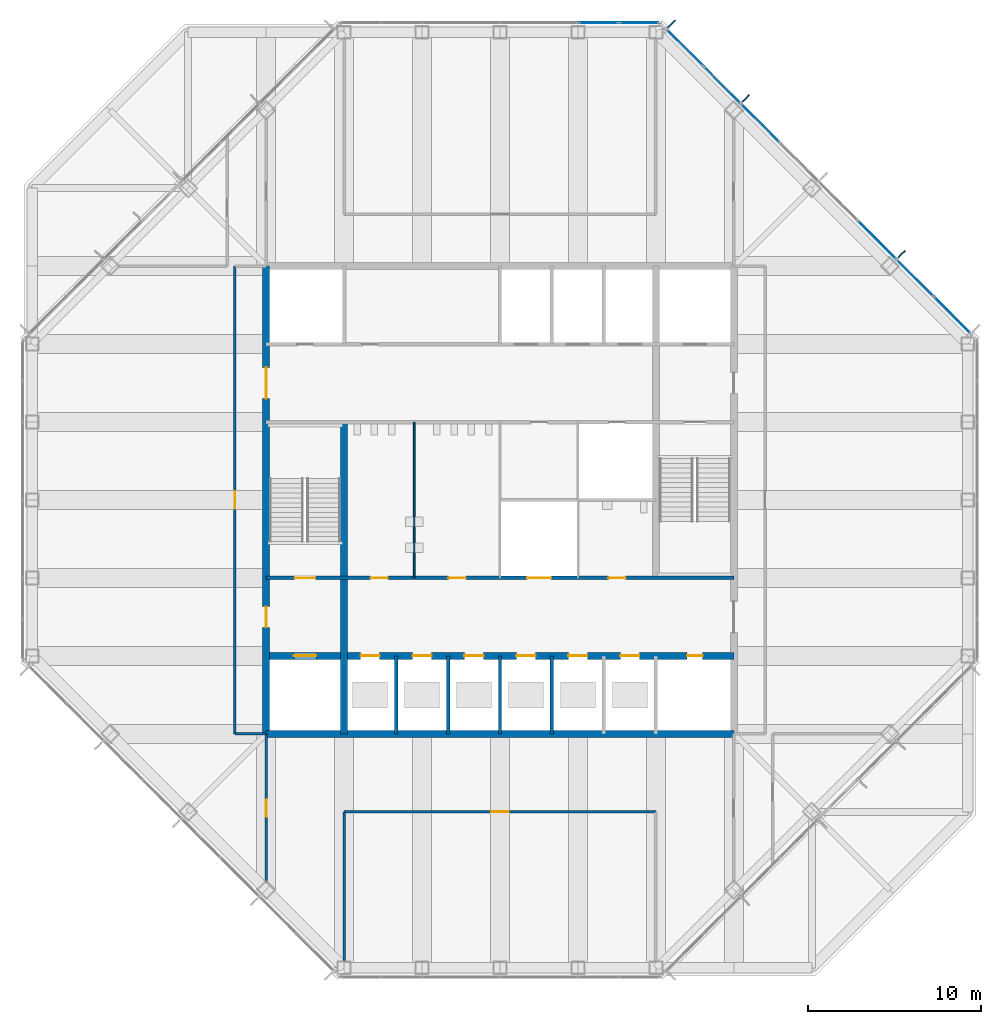
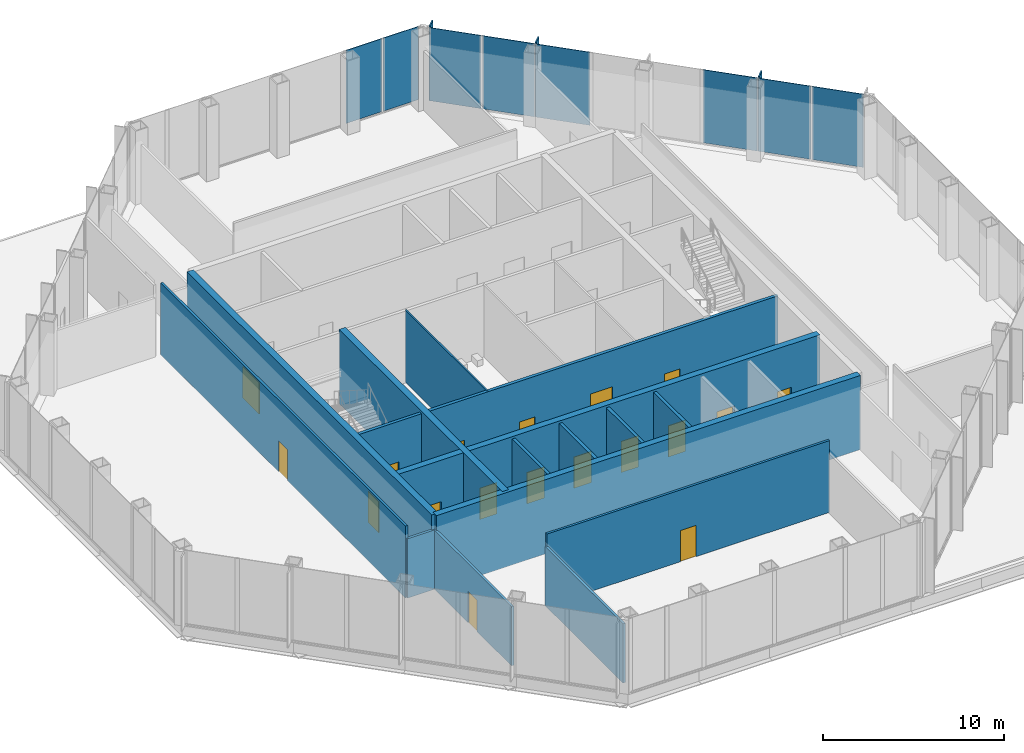
# One storey, part 7 of 12: 18 doors, 15 walls, 11 plates, 18 openings, 2 elements without a shape of their own.
"""IFC4 building model written with IfcOpenShell, lengths in metres."""

from ifc_helpers import new_model, si_unit, direction, frame, frame_2d, origin, origin_2d, place, context, subcontext, project, spatial, rectangle, extrude, material, layer, layer_set, type_object, element, fill, aggregate, save


model = new_model("IFC4")

# Units and contexts
model_context = context("Model", 3, precision=1e-05, world=origin(), true_north=direction((0.0, 1.0)))
body_context = subcontext(model_context, "Body", "Model", "MODEL_VIEW")
ifc_project = project(units=[si_unit("LENGTHUNIT", "METRE"), si_unit("AREAUNIT", "SQUARE_METRE"), si_unit("VOLUMEUNIT", "CUBIC_METRE"), si_unit("PLANEANGLEUNIT", "RADIAN"), si_unit("MASSUNIT", "GRAM", prefix="KILO")], contexts=[model_context])

# Site, building, storey
site_placement = place(None, origin())
site = spatial("IfcSite", under=ifc_project, at=site_placement, CompositionType="ELEMENT")
building_placement = place(site_placement, origin())
building = spatial("IfcBuilding", under=site, at=building_placement, Name="Corais Broadcast Tower", CompositionType="ELEMENT")
storey_placement = place(building_placement, frame((0.0, 0.0, 205.60009765625)))
storey = spatial("IfcBuildingStorey", under=building, at=storey_placement, Name="L47", CompositionType="ELEMENT", Elevation=205.60009765625)

# Curtain wall, plate
ifc_material_1 = material(Name="Aluminium and glass", Category="aluminium")
curtain_wall_type = type_object("IfcCurtainWallType", Name="Sky lobby curtain wall CW4", PredefinedType="NOTDEFINED", material=ifc_material_1)
curtain_wall_1_placement = place(storey_placement, origin())
curtain_wall_1 = element("IfcCurtainWall", 1, at=curtain_wall_1_placement, inside=storey, type_object=curtain_wall_type, Name="CW4 curtain wall L47 4", PredefinedType="NOTDEFINED")
ifc_material_2 = material(Name="Ceramic-fritted laminated glass", Category="glass")
ifc_layer_1 = layer(ifc_material_2, 0.035888671875)
ifc_layer_set_1 = layer_set([ifc_layer_1], Name="Ceramic-fritted laminated glass")
plate_type_1 = type_object("IfcPlateType", Name="Fritted glass panel CW4", PredefinedType="CURTAIN_PANEL", material=ifc_layer_set_1)
plate_1_placement = place(storey_placement, frame((32.681884765625, 54.550048828125, 0.079833984375), z_axis=(0.0, 0.0, 1.0), x_axis=(1.0, 0.0, 0.0)))
plate_1 = element("IfcPlate", 2, at=plate_1_placement, type_object=plate_type_1, Name="CW4 panel 5", PredefinedType="CURTAIN_PANEL", context=body_context, shape_type="SweptSolid", body=[
    extrude(rectangle(XDim=2.283935546875, YDim=0.035888671875, at=origin_2d()), origin(), (0.0, 0.0, 1.0), 4.919921875),
])

# Curtain wall, plates
curtain_wall_2_placement = place(storey_placement, origin())
curtain_wall_2 = element("IfcCurtainWall", 3, at=curtain_wall_2_placement, inside=storey, type_object=curtain_wall_type, Name="CW4 curtain wall L47 5", PredefinedType="NOTDEFINED")
plate_2_placement = place(storey_placement, frame((37.67236328125, 53.10546875, 0.079833984375), z_axis=(0.0, 0.0, 1.0), x_axis=(0.707106781187, -0.707106781187, 0.0)))
plate_2 = element("IfcPlate", 4, at=plate_2_placement, type_object=plate_type_1, Name="CW4 panel 1", PredefinedType="CURTAIN_PANEL", context=body_context, shape_type="SweptSolid", body=[
    extrude(rectangle(XDim=2.92578125, YDim=0.035888671875, at=origin_2d()), origin(), (0.0, 0.0, 1.0), 4.919921875),
])
plate_3_placement = place(storey_placement, frame((42.013916015625, 48.763916015625, 0.079833984375), z_axis=(0.0, 0.0, 1.0), x_axis=(0.707106781187, -0.707106781187, 0.0)))
plate_3 = element("IfcPlate", 5, at=plate_3_placement, type_object=plate_type_1, Name="CW4 panel 3", PredefinedType="CURTAIN_PANEL", context=body_context, shape_type="SweptSolid", body=[
    extrude(rectangle(XDim=3.10205078125, YDim=0.035888671875, at=origin_2d()), origin(), (0.0, 0.0, 1.0), 4.919921875),
])
plate_4_placement = place(storey_placement, frame((50.9658203125, 39.81201171875, 0.079833984375), z_axis=(0.0, 0.0, 1.0), x_axis=(0.707106781187, -0.707106781187, 0.0)))
plate_4 = element("IfcPlate", 6, at=plate_4_placement, type_object=plate_type_1, Name="CW4 panel 7", PredefinedType="CURTAIN_PANEL", context=body_context, shape_type="SweptSolid", body=[
    extrude(rectangle(XDim=2.9658203125, YDim=0.035888671875, at=origin_2d()), origin(), (0.0, 0.0, 1.0), 4.919921875),
])

# Plate
ifc_material_3 = material(Name="Clear laminated glass", Category="glass")
ifc_layer_2 = layer(ifc_material_3, 0.0400390625)
ifc_layer_set_2 = layer_set([ifc_layer_2], Name="Clear laminated glass")
plate_type_2 = type_object("IfcPlateType", Name="Operable glass panel CW4", PredefinedType="CURTAIN_PANEL", material=ifc_layer_set_2)
plate_5_placement = place(storey_placement, frame((35.02587890625, 54.550048828125, 0.079833984375), z_axis=(0.0, 0.0, 1.0), x_axis=(1.0, 0.0, 0.0)))
plate_5 = element("IfcPlate", 7, at=plate_5_placement, type_object=plate_type_2, Name="CW4 operable panel 6", PredefinedType="CURTAIN_PANEL", context=body_context, shape_type="SweptSolid", body=[
    extrude(rectangle(XDim=2.243896484375, YDim=0.0400390625, at=origin_2d()), origin(), (0.0, 0.0, 1.0), 4.919921875),
])

aggregate(curtain_wall_1, [plate_1, plate_5])

plate_6_placement = place(storey_placement, frame((39.81201171875, 50.9658203125, 0.079833984375), z_axis=(0.0, 0.0, 1.0), x_axis=(0.707106781187, -0.707106781187, 0.0)))
plate_6 = element("IfcPlate", 8, at=plate_6_placement, type_object=plate_type_2, Name="CW4 operable panel 2", PredefinedType="CURTAIN_PANEL", context=body_context, shape_type="SweptSolid", body=[
    extrude(rectangle(XDim=2.9658203125, YDim=0.0400390625, at=origin_2d()), origin(), (0.0, 0.0, 1.0), 4.919921875),
])

plate_7_placement = place(storey_placement, frame((48.763916015625, 42.013916015625, 0.079833984375), z_axis=(0.0, 0.0, 1.0), x_axis=(0.707106781187, -0.707106781187, 0.0)))
plate_7 = element("IfcPlate", 9, at=plate_7_placement, type_object=plate_type_2, Name="CW4 operable panel 6", PredefinedType="CURTAIN_PANEL", context=body_context, shape_type="SweptSolid", body=[
    extrude(rectangle(XDim=3.10205078125, YDim=0.0400390625, at=origin_2d()), origin(), (0.0, 0.0, 1.0), 4.919921875),
])

plate_8_placement = place(storey_placement, frame((53.10546875, 37.67236328125, 0.079833984375), z_axis=(0.0, 0.0, 1.0), x_axis=(0.707106781187, -0.707106781187, 0.0)))
plate_8 = element("IfcPlate", 10, at=plate_8_placement, type_object=plate_type_2, Name="CW4 operable panel 8", PredefinedType="CURTAIN_PANEL", context=body_context, shape_type="SweptSolid", body=[
    extrude(rectangle(XDim=2.92578125, YDim=0.0400390625, at=origin_2d()), origin(), (0.0, 0.0, 1.0), 4.919921875),
])

aggregate(curtain_wall_2, [plate_2, plate_6, plate_3, plate_7, plate_4, plate_8])

# Plates
ifc_material_4 = material(Name="Granite stone cladding", Category="masonry")
ifc_layer_3 = layer(ifc_material_4, 0.080078125)
ifc_layer_set_3 = layer_set([ifc_layer_3], Name="Granite stone cladding")
plate_type_3 = type_object("IfcPlateType", Name="Stone screen fin 80x600", PredefinedType="USERDEFINED", material=ifc_layer_set_3)
for number, where, z_axis, x_axis, name in (
    (11, (36.908203125, 54.466552734375, 0.0), (0.0, 0.0, 1.0), (0.707106781187, -0.707106781187, 0.0), "SF1 stone screen fin L47"),
    (12, (41.187255859375, 50.187255859375, 0.0), (0.0, 0.0, 1.0), (0.707106781187, -0.707106781187, 0.0), "SF1 stone screen fin L47"),
    (13, (50.187255859375, 41.187255859375, 0.0), (0.0, 0.0, 1.0), (0.707106781187, -0.707106781187, 0.0), "SF1 stone screen fin L47"),
):
    element("IfcPlate", number, at=place(storey_placement, frame(where, z_axis=z_axis, x_axis=x_axis)), inside=storey, type_object=plate_type_3, Name=name, ObjectType="STONE SCREEN FIN", PredefinedType="USERDEFINED", context=body_context, shape_type="SweptSolid", body=[
        extrude(rectangle(XDim=0.080078125, YDim=0.60009765625, at=origin_2d()), origin(), (0.0, 0.0, 1.0), 5.0),
    ])

# Wall, openings, doors
ifc_material_5 = material(Name="Concrete blockwork class A, grouted, two-hour", Category="masonry")
ifc_layer_4 = layer(ifc_material_5, 0.199951171875)
ifc_layer_set_4 = layer_set([ifc_layer_4], Name="Concrete blockwork class A, grouted, two-hour")
wall_type_1 = type_object("IfcWallType", Name="Core lobby wall 200", PredefinedType="SOLIDWALL", material=ifc_layer_set_4)
wall_1_placement = place(storey_placement, frame((13.5, 22.5, 0.0), z_axis=(0.0, 0.0, 1.0), x_axis=(1.0, 0.0, 0.0)))
wall_1 = element("IfcWall", 14, at=wall_1_placement, inside=storey, type_object=wall_type_1, Name="CL3 core lobby wall Y225 L47", PredefinedType="SOLIDWALL", context=body_context, shape_type="SweptSolid", body=[
    extrude(rectangle(XDim=27.0, YDim=0.199951171875, at=frame_2d((13.5, 0.0))), origin(), (0.0, 0.0, 1.0), 4.83984375),
])
opening_1_placement = place(wall_1_placement, frame((1.64990234375, 0.0, 0.0)))
opening_1 = element("IfcOpeningElement", 15, at=opening_1_placement, cuts=wall_1, Name="Opening FD1", PredefinedType="OPENING", context=body_context, shape_type="SweptSolid", body=[
    extrude(rectangle(XDim=1.199951171875, YDim=2.10009765625, at=frame_2d((0.60009765625, 1.050048828125))), frame((0.0, 0.10986328125, 0.0), z_axis=(0.0, -1.0, 0.0), x_axis=(1.0, 0.0, 0.0)), (0.0, 0.0, 1.0), 0.219970703125),
])
opening_2_placement = place(wall_1_placement, frame((6.02490234375, 0.0, 0.0)))
opening_2 = element("IfcOpeningElement", 16, at=opening_2_placement, cuts=wall_1, Name="Opening WD1", PredefinedType="OPENING", context=body_context, shape_type="SweptSolid", body=[
    extrude(rectangle(XDim=1.0, YDim=2.10009765625, at=frame_2d((0.5, 1.050048828125))), frame((0.0, 0.10986328125, 0.0), z_axis=(0.0, -1.0, 0.0), x_axis=(1.0, 0.0, 0.0)), (0.0, 0.0, 1.0), 0.219970703125),
])
opening_3_placement = place(wall_1_placement, frame((10.52490234375, 0.0, 0.0)))
opening_3 = element("IfcOpeningElement", 17, at=opening_3_placement, cuts=wall_1, Name="Opening WD1", PredefinedType="OPENING", context=body_context, shape_type="SweptSolid", body=[
    extrude(rectangle(XDim=1.0, YDim=2.10009765625, at=frame_2d((0.5, 1.050048828125))), frame((0.0, 0.10986328125, 0.0), z_axis=(0.0, -1.0, 0.0), x_axis=(1.0, 0.0, 0.0)), (0.0, 0.0, 1.0), 0.219970703125),
])
opening_4_placement = place(wall_1_placement, frame((19.75, 0.0, 0.0)))
opening_4 = element("IfcOpeningElement", 18, at=opening_4_placement, cuts=wall_1, Name="Opening WD1", PredefinedType="OPENING", context=body_context, shape_type="SweptSolid", body=[
    extrude(rectangle(XDim=1.0, YDim=2.10009765625, at=frame_2d((0.5, 1.050048828125))), frame((0.0, 0.10986328125, 0.0), z_axis=(0.0, -1.0, 0.0), x_axis=(1.0, 0.0, 0.0)), (0.0, 0.0, 1.0), 0.219970703125),
])
opening_5_placement = place(wall_1_placement, frame((15.050048828125, 0.0, 0.0)))
opening_5 = element("IfcOpeningElement", 19, at=opening_5_placement, cuts=wall_1, Name="Opening LD3", PredefinedType="OPENING", context=body_context, shape_type="SweptSolid", body=[
    extrude(rectangle(XDim=1.39990234375, YDim=2.39990234375, at=frame_2d((0.699951171875, 1.199951171875))), frame((0.0, 0.10986328125, 0.0), z_axis=(0.0, -1.0, 0.0), x_axis=(1.0, 0.0, 0.0)), (0.0, 0.0, 1.0), 0.219970703125),
])
ifc_material_6 = material(Name="Steel fire door", Category="steel")
door_type_1 = type_object("IfcDoorType", Name="Fire door 1200x2100", OperationType="SINGLE_SWING_LEFT", PredefinedType="DOOR", material=ifc_material_6)
door_1_placement = place(opening_1_placement, origin())
door_1 = element("IfcDoor", 20, at=door_1_placement, inside=storey, type_object=door_type_1, Name="FD1 stair A door L47", OperationType="SINGLE_SWING_LEFT", OverallHeight=2.10009765625, OverallWidth=1.199951171875, PredefinedType="DOOR", context=body_context, shape_type="SweptSolid", body=[
    extrude(rectangle(XDim=1.199951171875, YDim=2.10009765625, at=frame_2d((0.60009765625, 1.050048828125))), frame((0.0, 0.02490234375, 0.0), z_axis=(0.0, -1.0, 0.0), x_axis=(1.0, 0.0, 0.0)), (0.0, 0.0, 1.0), 0.050048828125),
])
fill(opening_1, door_1)
ifc_material_7 = material(Name="Stainless steel lift door", Category="steel")
door_type_2 = type_object("IfcDoorType", Name="Service lift landing door 1400x2400", OperationType="SLIDING_TO_LEFT", PredefinedType="DOOR", material=ifc_material_7)
door_2_placement = place(opening_5_placement, origin())
door_2 = element("IfcDoor", 21, at=door_2_placement, inside=storey, type_object=door_type_2, Name="LD3 SL1 landing door L47", OperationType="SLIDING_TO_LEFT", OverallHeight=2.39990234375, OverallWidth=1.39990234375, PredefinedType="DOOR", context=body_context, shape_type="SweptSolid", body=[
    extrude(rectangle(XDim=1.39990234375, YDim=2.39990234375, at=frame_2d((0.699951171875, 1.199951171875))), frame((0.0, 0.02490234375, 0.0), z_axis=(0.0, -1.0, 0.0), x_axis=(1.0, 0.0, 0.0)), (0.0, 0.0, 1.0), 0.050048828125),
])
fill(opening_5, door_2)
ifc_material_8 = material(Name="Timber door", Category="wood")
door_type_3 = type_object("IfcDoorType", Name="Toilet door 1000x2100", OperationType="SINGLE_SWING_LEFT", PredefinedType="DOOR", material=ifc_material_8)
door_3_placement = place(opening_2_placement, origin())
door_3 = element("IfcDoor", 22, at=door_3_placement, inside=storey, type_object=door_type_3, Name="WD1 WC male door L47", OperationType="SINGLE_SWING_LEFT", OverallHeight=2.10009765625, OverallWidth=1.0, PredefinedType="DOOR", context=body_context, shape_type="SweptSolid", body=[
    extrude(rectangle(XDim=1.0, YDim=2.10009765625, at=frame_2d((0.5, 1.050048828125))), frame((0.0, 0.02490234375, 0.0), z_axis=(0.0, -1.0, 0.0), x_axis=(1.0, 0.0, 0.0)), (0.0, 0.0, 1.0), 0.050048828125),
])
fill(opening_2, door_3)
door_4_placement = place(opening_3_placement, origin())
door_4 = element("IfcDoor", 23, at=door_4_placement, inside=storey, type_object=door_type_3, Name="WD1 WC female door L47", OperationType="SINGLE_SWING_LEFT", OverallHeight=2.10009765625, OverallWidth=1.0, PredefinedType="DOOR", context=body_context, shape_type="SweptSolid", body=[
    extrude(rectangle(XDim=1.0, YDim=2.10009765625, at=frame_2d((0.5, 1.050048828125))), frame((0.0, 0.02490234375, 0.0), z_axis=(0.0, -1.0, 0.0), x_axis=(1.0, 0.0, 0.0)), (0.0, 0.0, 1.0), 0.050048828125),
])
fill(opening_3, door_4)
door_5_placement = place(opening_4_placement, origin())
door_5 = element("IfcDoor", 24, at=door_5_placement, inside=storey, type_object=door_type_3, Name="WD1 accessible WC door L47", OperationType="SINGLE_SWING_RIGHT", OverallHeight=2.10009765625, OverallWidth=1.0, PredefinedType="DOOR", context=body_context, shape_type="SweptSolid", body=[
    extrude(rectangle(XDim=1.0, YDim=2.10009765625, at=frame_2d((0.5, 1.050048828125))), frame((0.0, 0.02490234375, 0.0), z_axis=(0.0, -1.0, 0.0), x_axis=(1.0, 0.0, 0.0)), (0.0, 0.0, 1.0), 0.050048828125),
])
fill(opening_4, door_5)

# Wall
ifc_material_9 = material(Name="Concrete C50/60", Category="concrete")
ifc_layer_5 = layer(ifc_material_9, 0.39990234375)
ifc_layer_set_5 = layer_set([ifc_layer_5], Name="Concrete C50/60")
wall_type_2 = type_object("IfcWallType", Name="Core wall 400", PredefinedType="SHEAR", material=ifc_layer_set_5)
wall_2_placement = place(storey_placement, frame((13.5, 13.5, 0.0), z_axis=(0.0, 0.0, 1.0), x_axis=(1.0, 0.0, 0.0)))
element("IfcWall", 25, at=wall_2_placement, inside=storey, type_object=wall_type_2, Name="CR400 core wall S L47", PredefinedType="SHEAR", context=body_context, shape_type="SweptSolid", body=[
    extrude(rectangle(XDim=27.0, YDim=0.39990234375, at=frame_2d((13.5, 0.0))), origin(), (0.0, 0.0, 1.0), 5.0),
])

# Wall, openings, doors
wall_3_placement = place(storey_placement, frame((13.5, 40.5, 0.0), z_axis=(0.0, 0.0, 1.0), x_axis=(0.0, -1.0, 0.0)))
wall_3 = element("IfcWall", 26, at=wall_3_placement, inside=storey, type_object=wall_type_2, Name="CR400 core wall W L47", PredefinedType="SHEAR", context=body_context, shape_type="SweptSolid", body=[
    extrude(rectangle(XDim=27.0, YDim=0.39990234375, at=frame_2d((13.5, 0.0))), origin(), (0.0, 0.0, 1.0), 5.0),
])
opening_6_placement = place(wall_3_placement, frame((19.64990234375, 0.0, 0.0)))
opening_6 = element("IfcOpeningElement", 27, at=opening_6_placement, cuts=wall_3, Name="Opening FD1", PredefinedType="OPENING", context=body_context, shape_type="SweptSolid", body=[
    extrude(rectangle(XDim=1.199951171875, YDim=2.10009765625, at=frame_2d((0.60009765625, 1.050048828125))), frame((0.0, 0.2099609375, 0.0), z_axis=(0.0, -1.0, 0.0), x_axis=(1.0, 0.0, 0.0)), (0.0, 0.0, 1.0), 0.419921875),
])
opening_7_placement = place(wall_3_placement, frame((5.85009765625, 0.0, 0.0)))
opening_7 = element("IfcOpeningElement", 28, at=opening_7_placement, cuts=wall_3, Name="Opening FD2", PredefinedType="OPENING", context=body_context, shape_type="SweptSolid", body=[
    extrude(rectangle(XDim=1.800048828125, YDim=2.10009765625, at=frame_2d((0.89990234375, 1.050048828125))), frame((0.0, 0.2099609375, 0.0), z_axis=(0.0, -1.0, 0.0), x_axis=(1.0, 0.0, 0.0)), (0.0, 0.0, 1.0), 0.419921875),
])
door_6_placement = place(opening_6_placement, origin())
door_6 = element("IfcDoor", 29, at=door_6_placement, inside=storey, type_object=door_type_1, Name="FD1 fire lobby A door L47", OperationType="SINGLE_SWING_RIGHT", OverallHeight=2.10009765625, OverallWidth=1.199951171875, PredefinedType="DOOR", context=body_context, shape_type="SweptSolid", body=[
    extrude(rectangle(XDim=1.199951171875, YDim=2.10009765625, at=frame_2d((0.60009765625, 1.050048828125))), frame((0.0, 0.02490234375, 0.0), z_axis=(0.0, -1.0, 0.0), x_axis=(1.0, 0.0, 0.0)), (0.0, 0.0, 1.0), 0.050048828125),
])
fill(opening_6, door_6)
ifc_material_10 = material(Name="Steel fire door", Category="steel")
door_type_4 = type_object("IfcDoorType", Name="Fire door pair 1800x2100", OperationType="DOUBLE_DOOR_SINGLE_SWING", PredefinedType="DOOR", material=ifc_material_10)
door_7_placement = place(opening_7_placement, origin())
door_7 = element("IfcDoor", 30, at=door_7_placement, inside=storey, type_object=door_type_4, Name="FD2 lift lobby door L47", OperationType="SINGLE_SWING_LEFT", OverallHeight=2.10009765625, OverallWidth=1.800048828125, PredefinedType="DOOR", context=body_context, shape_type="SweptSolid", body=[
    extrude(rectangle(XDim=1.800048828125, YDim=2.10009765625, at=frame_2d((0.89990234375, 1.050048828125))), frame((0.0, 0.02490234375, 0.0), z_axis=(0.0, -1.0, 0.0), x_axis=(1.0, 0.0, 0.0)), (0.0, 0.0, 1.0), 0.050048828125),
])
fill(opening_7, door_7)

# Wall
wall_4_placement = place(storey_placement, frame((18.0, 13.5, 0.0), z_axis=(0.0, 0.0, 1.0), x_axis=(0.0, 1.0, 0.0)))
element("IfcWall", 31, at=wall_4_placement, inside=storey, type_object=wall_type_2, Name="CR400 core wall X18A L47", PredefinedType="SHEAR", context=body_context, shape_type="SweptSolid", body=[
    extrude(rectangle(XDim=18.0, YDim=0.39990234375, at=frame_2d((9.0, 0.0))), origin(), (0.0, 0.0, 1.0), 5.0),
])

# Wall, openings, doors
wall_5_placement = place(storey_placement, frame((13.5, 18.0, 0.0), z_axis=(0.0, 0.0, 1.0), x_axis=(1.0, 0.0, 0.0)))
wall_5 = element("IfcWall", 32, at=wall_5_placement, inside=storey, type_object=wall_type_2, Name="CR400 core wall Y18 L47", PredefinedType="SHEAR", context=body_context, shape_type="SweptSolid", body=[
    extrude(rectangle(XDim=27.0, YDim=0.39990234375, at=frame_2d((13.5, 0.0))), origin(), (0.0, 0.0, 1.0), 5.0),
])
opening_8_placement = place(wall_5_placement, frame((24.300048828125, 0.0, 0.0)))
opening_8 = element("IfcOpeningElement", 33, at=opening_8_placement, cuts=wall_5, Name="Opening RD1", PredefinedType="OPENING", context=body_context, shape_type="SweptSolid", body=[
    extrude(rectangle(XDim=0.89990234375, YDim=2.10009765625, at=frame_2d((0.449951171875, 1.050048828125))), frame((0.0, 0.2099609375, 0.0), z_axis=(0.0, -1.0, 0.0), x_axis=(1.0, 0.0, 0.0)), (0.0, 0.0, 1.0), 0.419921875),
])
opening_9_placement = place(wall_5_placement, frame((5.449951171875, 0.0, 0.0)))
opening_9 = element("IfcOpeningElement", 34, at=opening_9_placement, cuts=wall_5, Name="Opening LD1", PredefinedType="OPENING", context=body_context, shape_type="SweptSolid", body=[
    extrude(rectangle(XDim=1.10009765625, YDim=2.10009765625, at=frame_2d((0.550048828125, 1.050048828125))), frame((0.0, 0.2099609375, 0.0), z_axis=(0.0, -1.0, 0.0), x_axis=(1.0, 0.0, 0.0)), (0.0, 0.0, 1.0), 0.419921875),
])
opening_10_placement = place(wall_5_placement, frame((8.449951171875, 0.0, 0.0)))
opening_10 = element("IfcOpeningElement", 35, at=opening_10_placement, cuts=wall_5, Name="Opening LD1", PredefinedType="OPENING", context=body_context, shape_type="SweptSolid", body=[
    extrude(rectangle(XDim=1.10009765625, YDim=2.10009765625, at=frame_2d((0.550048828125, 1.050048828125))), frame((0.0, 0.2099609375, 0.0), z_axis=(0.0, -1.0, 0.0), x_axis=(1.0, 0.0, 0.0)), (0.0, 0.0, 1.0), 0.419921875),
])
opening_11_placement = place(wall_5_placement, frame((11.449951171875, 0.0, 0.0)))
opening_11 = element("IfcOpeningElement", 36, at=opening_11_placement, cuts=wall_5, Name="Opening LD1", PredefinedType="OPENING", context=body_context, shape_type="SweptSolid", body=[
    extrude(rectangle(XDim=1.10009765625, YDim=2.10009765625, at=frame_2d((0.550048828125, 1.050048828125))), frame((0.0, 0.2099609375, 0.0), z_axis=(0.0, -1.0, 0.0), x_axis=(1.0, 0.0, 0.0)), (0.0, 0.0, 1.0), 0.419921875),
])
opening_12_placement = place(wall_5_placement, frame((14.449951171875, 0.0, 0.0)))
opening_12 = element("IfcOpeningElement", 37, at=opening_12_placement, cuts=wall_5, Name="Opening LD1", PredefinedType="OPENING", context=body_context, shape_type="SweptSolid", body=[
    extrude(rectangle(XDim=1.10009765625, YDim=2.10009765625, at=frame_2d((0.550048828125, 1.050048828125))), frame((0.0, 0.2099609375, 0.0), z_axis=(0.0, -1.0, 0.0), x_axis=(1.0, 0.0, 0.0)), (0.0, 0.0, 1.0), 0.419921875),
])
opening_13_placement = place(wall_5_placement, frame((17.449951171875, 0.0, 0.0)))
opening_13 = element("IfcOpeningElement", 38, at=opening_13_placement, cuts=wall_5, Name="Opening LD1", PredefinedType="OPENING", context=body_context, shape_type="SweptSolid", body=[
    extrude(rectangle(XDim=1.10009765625, YDim=2.10009765625, at=frame_2d((0.550048828125, 1.050048828125))), frame((0.0, 0.2099609375, 0.0), z_axis=(0.0, -1.0, 0.0), x_axis=(1.0, 0.0, 0.0)), (0.0, 0.0, 1.0), 0.419921875),
])
opening_14_placement = place(wall_5_placement, frame((20.449951171875, 0.0, 0.0)))
opening_14 = element("IfcOpeningElement", 39, at=opening_14_placement, cuts=wall_5, Name="Opening LD1", PredefinedType="OPENING", context=body_context, shape_type="SweptSolid", body=[
    extrude(rectangle(XDim=1.10009765625, YDim=2.10009765625, at=frame_2d((0.550048828125, 1.050048828125))), frame((0.0, 0.2099609375, 0.0), z_axis=(0.0, -1.0, 0.0), x_axis=(1.0, 0.0, 0.0)), (0.0, 0.0, 1.0), 0.419921875),
])
opening_15_placement = place(wall_5_placement, frame((1.60009765625, 0.0, 0.0)))
opening_15 = element("IfcOpeningElement", 40, at=opening_15_placement, cuts=wall_5, Name="Opening LD2", PredefinedType="OPENING", context=body_context, shape_type="SweptSolid", body=[
    extrude(rectangle(XDim=1.300048828125, YDim=2.199951171875, at=frame_2d((0.64990234375, 1.10009765625))), frame((0.0, 0.2099609375, 0.0), z_axis=(0.0, -1.0, 0.0), x_axis=(1.0, 0.0, 0.0)), (0.0, 0.0, 1.0), 0.419921875),
])
ifc_material_11 = material(Name="Stainless steel lift door", Category="steel")
door_type_5 = type_object("IfcDoorType", Name="Lift landing door 1100x2100", OperationType="SLIDING_TO_LEFT", PredefinedType="DOOR", material=ifc_material_11)
door_8_placement = place(opening_9_placement, origin())
door_8 = element("IfcDoor", 41, at=door_8_placement, inside=storey, type_object=door_type_5, Name="LD1 PH1 landing door L47", OperationType="SLIDING_TO_LEFT", OverallHeight=2.10009765625, OverallWidth=1.10009765625, PredefinedType="DOOR", context=body_context, shape_type="SweptSolid", body=[
    extrude(rectangle(XDim=1.10009765625, YDim=2.10009765625, at=frame_2d((0.550048828125, 1.050048828125))), frame((0.0, 0.02490234375, 0.0), z_axis=(0.0, -1.0, 0.0), x_axis=(1.0, 0.0, 0.0)), (0.0, 0.0, 1.0), 0.050048828125),
])
fill(opening_9, door_8)
door_9_placement = place(opening_10_placement, origin())
door_9 = element("IfcDoor", 42, at=door_9_placement, inside=storey, type_object=door_type_5, Name="LD1 PH2 landing door L47", OperationType="SLIDING_TO_LEFT", OverallHeight=2.10009765625, OverallWidth=1.10009765625, PredefinedType="DOOR", context=body_context, shape_type="SweptSolid", body=[
    extrude(rectangle(XDim=1.10009765625, YDim=2.10009765625, at=frame_2d((0.550048828125, 1.050048828125))), frame((0.0, 0.02490234375, 0.0), z_axis=(0.0, -1.0, 0.0), x_axis=(1.0, 0.0, 0.0)), (0.0, 0.0, 1.0), 0.050048828125),
])
fill(opening_10, door_9)
door_10_placement = place(opening_11_placement, origin())
door_10 = element("IfcDoor", 43, at=door_10_placement, inside=storey, type_object=door_type_5, Name="LD1 PH3 landing door L47", OperationType="SLIDING_TO_LEFT", OverallHeight=2.10009765625, OverallWidth=1.10009765625, PredefinedType="DOOR", context=body_context, shape_type="SweptSolid", body=[
    extrude(rectangle(XDim=1.10009765625, YDim=2.10009765625, at=frame_2d((0.550048828125, 1.050048828125))), frame((0.0, 0.02490234375, 0.0), z_axis=(0.0, -1.0, 0.0), x_axis=(1.0, 0.0, 0.0)), (0.0, 0.0, 1.0), 0.050048828125),
])
fill(opening_11, door_10)
door_11_placement = place(opening_12_placement, origin())
door_11 = element("IfcDoor", 44, at=door_11_placement, inside=storey, type_object=door_type_5, Name="LD1 PH4 landing door L47", OperationType="SLIDING_TO_LEFT", OverallHeight=2.10009765625, OverallWidth=1.10009765625, PredefinedType="DOOR", context=body_context, shape_type="SweptSolid", body=[
    extrude(rectangle(XDim=1.10009765625, YDim=2.10009765625, at=frame_2d((0.550048828125, 1.050048828125))), frame((0.0, 0.02490234375, 0.0), z_axis=(0.0, -1.0, 0.0), x_axis=(1.0, 0.0, 0.0)), (0.0, 0.0, 1.0), 0.050048828125),
])
fill(opening_12, door_11)
door_12_placement = place(opening_13_placement, origin())
door_12 = element("IfcDoor", 45, at=door_12_placement, inside=storey, type_object=door_type_5, Name="LD1 PH5 landing door L47", OperationType="SLIDING_TO_LEFT", OverallHeight=2.10009765625, OverallWidth=1.10009765625, PredefinedType="DOOR", context=body_context, shape_type="SweptSolid", body=[
    extrude(rectangle(XDim=1.10009765625, YDim=2.10009765625, at=frame_2d((0.550048828125, 1.050048828125))), frame((0.0, 0.02490234375, 0.0), z_axis=(0.0, -1.0, 0.0), x_axis=(1.0, 0.0, 0.0)), (0.0, 0.0, 1.0), 0.050048828125),
])
fill(opening_13, door_12)
door_13_placement = place(opening_14_placement, origin())
door_13 = element("IfcDoor", 46, at=door_13_placement, inside=storey, type_object=door_type_5, Name="LD1 PH6 landing door L47", OperationType="SLIDING_TO_LEFT", OverallHeight=2.10009765625, OverallWidth=1.10009765625, PredefinedType="DOOR", context=body_context, shape_type="SweptSolid", body=[
    extrude(rectangle(XDim=1.10009765625, YDim=2.10009765625, at=frame_2d((0.550048828125, 1.050048828125))), frame((0.0, 0.02490234375, 0.0), z_axis=(0.0, -1.0, 0.0), x_axis=(1.0, 0.0, 0.0)), (0.0, 0.0, 1.0), 0.050048828125),
])
fill(opening_14, door_13)
ifc_material_12 = material(Name="Stainless steel lift door", Category="steel")
door_type_6 = type_object("IfcDoorType", Name="Lift landing door 1300x2200", OperationType="SLIDING_TO_LEFT", PredefinedType="DOOR", material=ifc_material_12)
door_14_placement = place(opening_15_placement, origin())
door_14 = element("IfcDoor", 47, at=door_14_placement, inside=storey, type_object=door_type_6, Name="LD2 FL1 landing door L47", OperationType="SLIDING_TO_LEFT", OverallHeight=2.199951171875, OverallWidth=1.300048828125, PredefinedType="DOOR", context=body_context, shape_type="SweptSolid", body=[
    extrude(rectangle(XDim=1.300048828125, YDim=2.199951171875, at=frame_2d((0.64990234375, 1.10009765625))), frame((0.0, 0.02490234375, 0.0), z_axis=(0.0, -1.0, 0.0), x_axis=(1.0, 0.0, 0.0)), (0.0, 0.0, 1.0), 0.050048828125),
])
fill(opening_15, door_14)
ifc_material_13 = material(Name="Steel fire door", Category="steel")
door_type_7 = type_object("IfcDoorType", Name="Riser door 900x2100", OperationType="SINGLE_SWING_LEFT", PredefinedType="DOOR", material=ifc_material_13)
door_15_placement = place(opening_8_placement, origin())
door_15 = element("IfcDoor", 48, at=door_15_placement, inside=storey, type_object=door_type_7, Name="RD1 riser door L47", OperationType="SINGLE_SWING_RIGHT", OverallHeight=2.10009765625, OverallWidth=0.89990234375, PredefinedType="DOOR", context=body_context, shape_type="SweptSolid", body=[
    extrude(rectangle(XDim=0.89990234375, YDim=2.10009765625, at=frame_2d((0.449951171875, 1.050048828125))), frame((0.0, 0.02490234375, 0.0), z_axis=(0.0, -1.0, 0.0), x_axis=(1.0, 0.0, 0.0)), (0.0, 0.0, 1.0), 0.050048828125),
])
fill(opening_8, door_15)

# Wall, opening, door
ifc_material_14 = material(Name="Gypsum board on steel studs", Category="steel")
ifc_layer_6 = layer(ifc_material_14, 0.14990234375)
ifc_layer_set_6 = layer_set([ifc_layer_6], Name="Gypsum board on steel studs")
wall_type_3 = type_object("IfcWallType", Name="Partition 150", PredefinedType="PARTITIONING", material=ifc_layer_set_6)
wall_6_placement = place(storey_placement, frame((11.699951171875, 40.5, 0.0), z_axis=(0.0, 0.0, 1.0), x_axis=(0.0, -1.0, 0.0)))
wall_6 = element("IfcWall", 49, at=wall_6_placement, inside=storey, type_object=wall_type_3, Name="IW3 corridor wall L47", PredefinedType="PARTITIONING", context=body_context, shape_type="SweptSolid", body=[
    extrude(rectangle(XDim=27.0, YDim=0.14990234375, at=frame_2d((13.5, 0.0))), origin(), (0.0, 0.0, 1.0), 4.83984375),
])
opening_16_placement = place(wall_6_placement, frame((13.0, 0.0, 0.0)))
opening_16 = element("IfcOpeningElement", 50, at=opening_16_placement, cuts=wall_6, Name="Opening D1", PredefinedType="OPENING", context=body_context, shape_type="SweptSolid", body=[
    extrude(rectangle(XDim=1.0, YDim=2.10009765625, at=frame_2d((0.5, 1.050048828125))), frame((0.0, 0.0849609375, 0.0), z_axis=(0.0, -1.0, 0.0), x_axis=(1.0, 0.0, 0.0)), (0.0, 0.0, 1.0), 0.169921875),
])
ifc_material_15 = material(Name="Timber door", Category="wood")
door_type_8 = type_object("IfcDoorType", Name="Single door 1000x2100", OperationType="SINGLE_SWING_LEFT", PredefinedType="DOOR", material=ifc_material_15)
door_16_placement = place(opening_16_placement, origin())
door_16 = element("IfcDoor", 51, at=door_16_placement, inside=storey, type_object=door_type_8, Name="D1 workplace door L47", OperationType="SINGLE_SWING_LEFT", OverallHeight=2.10009765625, OverallWidth=1.0, PredefinedType="DOOR", context=body_context, shape_type="SweptSolid", body=[
    extrude(rectangle(XDim=1.0, YDim=2.10009765625, at=frame_2d((0.5, 1.050048828125))), frame((0.0, 0.02490234375, 0.0), z_axis=(0.0, -1.0, 0.0), x_axis=(1.0, 0.0, 0.0)), (0.0, 0.0, 1.0), 0.050048828125),
])
fill(opening_16, door_16)

# Wall
wall_7_placement = place(storey_placement, frame((11.699951171875, 13.5, 0.0), z_axis=(0.0, 0.0, 1.0), x_axis=(1.0, 0.0, 0.0)))
element("IfcWall", 52, at=wall_7_placement, inside=storey, type_object=wall_type_3, Name="IW3 corridor wall L47", PredefinedType="PARTITIONING", context=body_context, shape_type="SweptSolid", body=[
    extrude(rectangle(XDim=1.81005859375, YDim=0.14990234375, at=frame_2d((0.905029296875, 0.0))), origin(), (0.0, 0.0, 1.0), 3.989013671875),
])

# Wall, opening, door
wall_8_placement = place(storey_placement, frame((36.0, 9.0, 0.0), z_axis=(0.0, 0.0, 1.0), x_axis=(-1.0, 0.0, 0.0)))
wall_8 = element("IfcWall", 53, at=wall_8_placement, inside=storey, type_object=wall_type_3, Name="IW3 partition L47", PredefinedType="PARTITIONING", context=body_context, shape_type="SweptSolid", body=[
    extrude(rectangle(XDim=18.0, YDim=0.14990234375, at=frame_2d((9.0, 0.0))), origin(), (0.0, 0.0, 1.0), 4.83984375),
])
opening_17_placement = place(wall_8_placement, frame((8.5, 0.0, 0.0)))
opening_17 = element("IfcOpeningElement", 54, at=opening_17_placement, cuts=wall_8, Name="Opening D1", PredefinedType="OPENING", context=body_context, shape_type="SweptSolid", body=[
    extrude(rectangle(XDim=1.0, YDim=2.10009765625, at=frame_2d((0.5, 1.050048828125))), frame((0.0, 0.0849609375, 0.0), z_axis=(0.0, -1.0, 0.0), x_axis=(1.0, 0.0, 0.0)), (0.0, 0.0, 1.0), 0.169921875),
])
door_17_placement = place(opening_17_placement, origin())
door_17 = element("IfcDoor", 55, at=door_17_placement, inside=storey, type_object=door_type_8, Name="D1 Conference room door", OperationType="SINGLE_SWING_LEFT", OverallHeight=2.10009765625, OverallWidth=1.0, PredefinedType="DOOR", context=body_context, shape_type="SweptSolid", body=[
    extrude(rectangle(XDim=1.0, YDim=2.10009765625, at=frame_2d((0.5, 1.050048828125))), frame((0.0, 0.02490234375, 0.0), z_axis=(0.0, -1.0, 0.0), x_axis=(1.0, 0.0, 0.0)), (0.0, 0.0, 1.0), 0.050048828125),
])
fill(opening_17, door_17)

# Wall
wall_9_placement = place(storey_placement, frame((18.0, 9.0, 0.0), z_axis=(0.0, 0.0, 1.0), x_axis=(0.0, -1.0, 0.0)))
element("IfcWall", 56, at=wall_9_placement, inside=storey, type_object=wall_type_3, Name="IW3 partition L47", PredefinedType="PARTITIONING", context=body_context, shape_type="SweptSolid", body=[
    extrude(rectangle(XDim=8.590087890625, YDim=0.14990234375, at=frame_2d((4.294921875, 0.0))), origin(), (0.0, 0.0, 1.0), 3.989013671875),
])

# Wall, opening, door
wall_10_placement = place(storey_placement, frame((13.5, 4.919921875, 0.0), z_axis=(0.0, 0.0, 1.0), x_axis=(0.0, 1.0, 0.0)))
wall_10 = element("IfcWall", 57, at=wall_10_placement, inside=storey, type_object=wall_type_3, Name="IW3 partition L47", PredefinedType="PARTITIONING", context=body_context, shape_type="SweptSolid", body=[
    extrude(rectangle(XDim=8.580078125, YDim=0.14990234375, at=frame_2d((4.2900390625, 0.0))), origin(), (0.0, 0.0, 1.0), 3.989013671875),
])
opening_18_placement = place(wall_10_placement, frame((3.7900390625, 0.0, 0.0)))
opening_18 = element("IfcOpeningElement", 58, at=opening_18_placement, cuts=wall_10, Name="Opening D1", PredefinedType="OPENING", context=body_context, shape_type="SweptSolid", body=[
    extrude(rectangle(XDim=1.0, YDim=2.10009765625, at=frame_2d((0.5, 1.050048828125))), frame((0.0, 0.0849609375, 0.0), z_axis=(0.0, -1.0, 0.0), x_axis=(1.0, 0.0, 0.0)), (0.0, 0.0, 1.0), 0.169921875),
])
door_18_placement = place(opening_18_placement, origin())
door_18 = element("IfcDoor", 59, at=door_18_placement, inside=storey, type_object=door_type_8, Name="D1 team room door L47", OperationType="SINGLE_SWING_LEFT", OverallHeight=2.10009765625, OverallWidth=1.0, PredefinedType="DOOR", context=body_context, shape_type="SweptSolid", body=[
    extrude(rectangle(XDim=1.0, YDim=2.10009765625, at=frame_2d((0.5, 1.050048828125))), frame((0.0, 0.02490234375, 0.0), z_axis=(0.0, -1.0, 0.0), x_axis=(1.0, 0.0, 0.0)), (0.0, 0.0, 1.0), 0.050048828125),
])
fill(opening_18, door_18)

# Walls
ifc_material_16 = material(Name="Concrete blockwork class A, grouted, two-hour", Category="masonry")
ifc_layer_7 = layer(ifc_material_16, 0.199951171875)
ifc_layer_set_7 = layer_set([ifc_layer_7], Name="Concrete blockwork class A, grouted, two-hour")
wall_type_4 = type_object("IfcWallType", Name="Shaft wall 200", PredefinedType="PARTITIONING", material=ifc_layer_set_7)
for number, where, z_axis, x_axis, name in (
    (60, (21.0, 13.5, 0.0), (0.0, 0.0, 1.0), (0.0, 1.0, 0.0), "IW1 shaft wall L47"),
    (61, (24.0, 13.5, 0.0), (0.0, 0.0, 1.0), (0.0, 1.0, 0.0), "IW1 shaft wall L47"),
    (62, (27.0, 13.5, 0.0), (0.0, 0.0, 1.0), (0.0, 1.0, 0.0), "IW1 shaft wall L47"),
    (63, (30.0, 13.5, 0.0), (0.0, 0.0, 1.0), (0.0, 1.0, 0.0), "IW1 shaft wall L47"),
):
    element("IfcWall", number, at=place(storey_placement, frame(where, z_axis=z_axis, x_axis=x_axis)), inside=storey, type_object=wall_type_4, Name=name, PredefinedType="PARTITIONING", context=body_context, shape_type="SweptSolid", body=[
        extrude(rectangle(XDim=4.5, YDim=0.199951171875, at=frame_2d((2.25, 0.0))), origin(), (0.0, 0.0, 1.0), 4.83984375),
    ])
ifc_material_17 = material(Name="Dense concrete blockwork class A, tiled both faces", Category="masonry")
ifc_layer_8 = layer(ifc_material_17, 0.10009765625)
ifc_layer_set_8 = layer_set([ifc_layer_8], Name="Dense concrete blockwork class A, tiled both faces")
wall_type_5 = type_object("IfcWallType", Name="Toilet wall 100", PredefinedType="PLUMBINGWALL", material=ifc_layer_set_8)
wall_11_placement = place(storey_placement, frame((22.050048828125, 22.5, 0.0), z_axis=(0.0, 0.0, 1.0), x_axis=(0.0, 1.0, 0.0)))
element("IfcWall", 64, at=wall_11_placement, inside=storey, type_object=wall_type_5, Name="IW2 toilet wall L47", PredefinedType="PLUMBINGWALL", context=body_context, shape_type="SweptSolid", body=[
    extrude(rectangle(XDim=9.0, YDim=0.10009765625, at=frame_2d((4.5, 0.0))), origin(), (0.0, 0.0, 1.0), 4.83984375),
])

save(model, "model.ifc")
